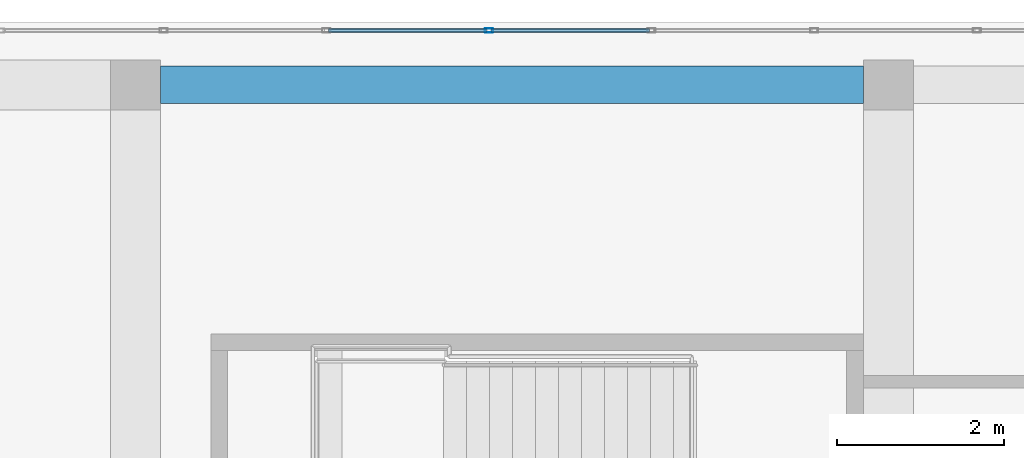
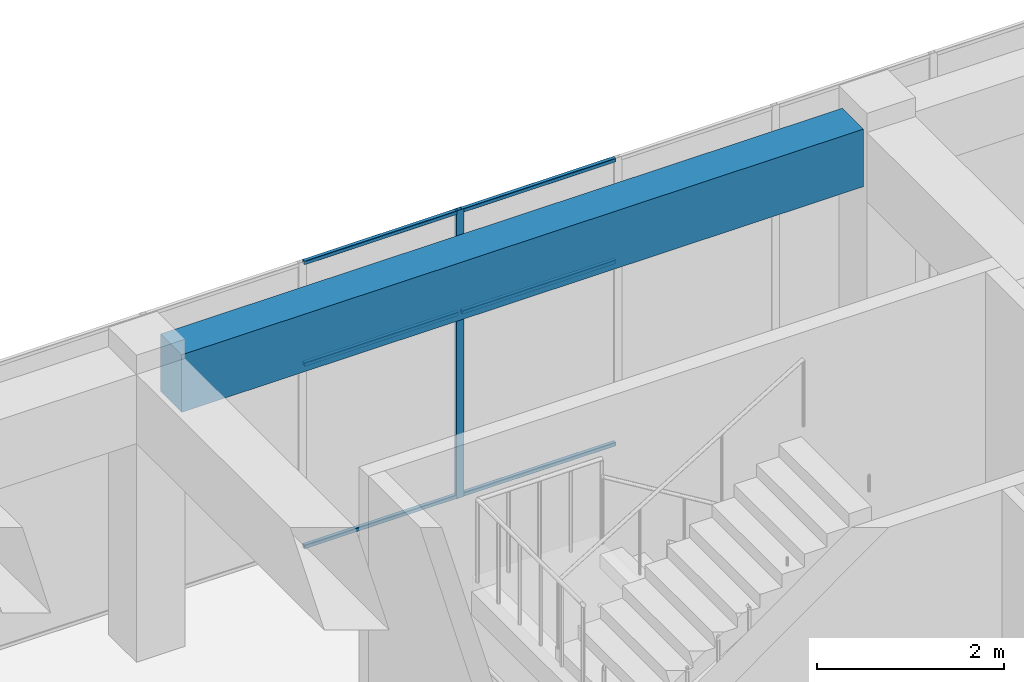
# One storey, part 20 of 32: 7 members, 1 beam, 1 element without a shape of its own.
"""IFC4 building model written with IfcOpenShell, lengths in metres."""

from ifc_helpers import new_model, si_unit, direction, frame, origin, origin_2d, place, context, subcontext, project, spatial, rectangle, hollow_rectangle, extrude, material, layer, layer_set, material_profile, profile_set, type_object, element, aggregate, save


model = new_model("IFC4")

# Units and contexts
model_context = context("Model", 3, precision=1e-05, world=origin(), true_north=direction((0.0, 1.0)))
body_context = subcontext(model_context, "Body", "Model", "MODEL_VIEW")
ifc_project = project(units=[si_unit("LENGTHUNIT", "METRE"), si_unit("AREAUNIT", "SQUARE_METRE"), si_unit("VOLUMEUNIT", "CUBIC_METRE"), si_unit("PLANEANGLEUNIT", "RADIAN"), si_unit("MASSUNIT", "GRAM", prefix="KILO")], contexts=[model_context])

# Site, building, storey
site_placement = place(None, origin())
site = spatial("IfcSite", under=ifc_project, at=site_placement, CompositionType="ELEMENT")
building_placement = place(site_placement, origin())
building = spatial("IfcBuilding", under=site, at=building_placement, Name="Tuart Plaza Theatre", CompositionType="ELEMENT")
storey_placement = place(building_placement, frame((0.0, 0.0, 41.5)))
storey = spatial("IfcBuildingStorey", under=building, at=storey_placement, Name="L10", CompositionType="ELEMENT", Elevation=41.5)

# Beam
ifc_material_1 = material(Name="Concrete N40 (40 MPa)", Category="concrete")
ifc_material_profile_1 = material_profile(ifc_material_1, rectangle(XDim=0.449951171875, YDim=0.75, at=origin_2d()), Name="BEAM 450x750 Concrete N40 (40 MPa)")
ifc_profile_set_1 = profile_set([ifc_material_profile_1], Name="Concrete N40 (40 MPa)")
beam_type = type_object("IfcBeamType", Name="BEAM 450x750 Concrete N40 (40 MPa)", PredefinedType="BEAM", material=ifc_profile_set_1)
beam_placement = place(storey_placement, frame((114.300048828125, 92.0, 3.375), z_axis=(1.0, 0.0, 0.0), x_axis=(0.0, 1.0, 0.0)))
element("IfcBeam", 1, at=beam_placement, inside=storey, type_object=beam_type, Name="RB295", PredefinedType="BEAM", context=body_context, shape_type="SweptSolid", body=[
    extrude(rectangle(XDim=0.449951171875, YDim=0.75, at=origin_2d()), origin(), (0.0, 0.0, 1.0), 8.39990234375),
])

# Curtain wall, members
ifc_material_2 = material(Name="Aluminium and glass", Category="aluminium")
ifc_layer = layer(ifc_material_2, 0.10009765625)
ifc_layer_set = layer_set([ifc_layer], Name="CURTAIN WALL 2000 module")
curtain_wall_type = type_object("IfcCurtainWallType", Name="CURTAIN WALL 2000 module", PredefinedType="NOTDEFINED", material=ifc_layer_set)
curtain_wall_placement = place(storey_placement, origin())
curtain_wall = element("IfcCurtainWall", 2, at=curtain_wall_placement, inside=storey, type_object=curtain_wall_type, Name="CW105", PredefinedType="NOTDEFINED")
ifc_material_3 = material(Name="Aluminium 6063-T5", Category="aluminium")
ifc_material_profile_2 = material_profile(ifc_material_3, hollow_rectangle(XDim=0.050048828125, YDim=0.10009765625, WallThickness=0.00390625, InnerFilletRadius=0.00390625, OuterFilletRadius=0.008056640625, at=origin_2d()), Name="RHS 100x50x4")
ifc_profile_set_2 = profile_set([ifc_material_profile_2], Name="Aluminium 6063-T5")
member_type_1 = type_object("IfcMemberType", Name="MULLION RHS 100x50x4", PredefinedType="MULLION", material=ifc_profile_set_2)
member_1_placement = place(storey_placement, frame((118.22509765625, 92.64990234375, 0.0), z_axis=(0.0, 0.0, 1.0), x_axis=(0.0, -1.0, 0.0)))
member_1 = element("IfcMember", 3, at=member_1_placement, type_object=member_type_1, Name="CW105 mullion 13", PredefinedType="MULLION", context=body_context, shape_type="SweptSolid", body=[
    extrude(hollow_rectangle(XDim=0.050048828125, YDim=0.10009765625, WallThickness=0.00390625, InnerFilletRadius=0.00390625, OuterFilletRadius=0.008056640625, at=origin_2d()), origin(), (0.0, 0.0, 1.0), 3.75),
])
ifc_material_4 = material(Name="Aluminium 6063-T5", Category="aluminium")
ifc_material_profile_3 = material_profile(ifc_material_4, hollow_rectangle(XDim=0.050048828125, YDim=0.050048828125, WallThickness=0.00390625, InnerFilletRadius=0.00390625, OuterFilletRadius=0.008056640625, at=origin_2d()), Name="RHS 50x50x4")
ifc_profile_set_3 = profile_set([ifc_material_profile_3], Name="Aluminium 6063-T5")
member_type_2 = type_object("IfcMemberType", Name="TRANSOM RHS 50x50x4", PredefinedType="USERDEFINED", material=ifc_profile_set_3)
member_2_placement = place(storey_placement, frame((120.143798828125, 92.64990234375, 0.02490234375), z_axis=(-1.0, 0.0, 0.0), x_axis=(0.0, -1.0, 0.0)))
member_2 = element("IfcMember", 4, at=member_2_placement, type_object=member_type_2, Name="CW105 transom 12.1", ObjectType="TRANSOM", PredefinedType="USERDEFINED", context=body_context, shape_type="SweptSolid", body=[
    extrude(hollow_rectangle(XDim=0.050048828125, YDim=0.050048828125, WallThickness=0.00390625, InnerFilletRadius=0.00390625, OuterFilletRadius=0.008056640625, at=origin_2d()), origin(), (0.0, 0.0, 1.0), 1.893798828125),
])
member_3_placement = place(storey_placement, frame((120.143798828125, 92.64990234375, 2.39990234375), z_axis=(-1.0, 0.0, 0.0), x_axis=(0.0, -1.0, 0.0)))
member_3 = element("IfcMember", 5, at=member_3_placement, type_object=member_type_2, Name="CW105 transom 12.2", ObjectType="TRANSOM", PredefinedType="USERDEFINED", context=body_context, shape_type="SweptSolid", body=[
    extrude(hollow_rectangle(XDim=0.050048828125, YDim=0.050048828125, WallThickness=0.00390625, InnerFilletRadius=0.00390625, OuterFilletRadius=0.008056640625, at=origin_2d()), origin(), (0.0, 0.0, 1.0), 1.893798828125),
])
member_4_placement = place(storey_placement, frame((120.143798828125, 92.64990234375, 3.72509765625), z_axis=(-1.0, 0.0, 0.0), x_axis=(0.0, -1.0, 0.0)))
member_4 = element("IfcMember", 6, at=member_4_placement, type_object=member_type_2, Name="CW105 transom 12.3", ObjectType="TRANSOM", PredefinedType="USERDEFINED", context=body_context, shape_type="SweptSolid", body=[
    extrude(hollow_rectangle(XDim=0.050048828125, YDim=0.050048828125, WallThickness=0.00390625, InnerFilletRadius=0.00390625, OuterFilletRadius=0.008056640625, at=origin_2d()), origin(), (0.0, 0.0, 1.0), 1.893798828125),
])
member_5_placement = place(storey_placement, frame((118.199951171875, 92.64990234375, 0.02490234375), z_axis=(-1.0, 0.0, 0.0), x_axis=(0.0, -1.0, 0.0)))
member_5 = element("IfcMember", 7, at=member_5_placement, type_object=member_type_2, Name="CW105 transom 13.1", ObjectType="TRANSOM", PredefinedType="USERDEFINED", context=body_context, shape_type="SweptSolid", body=[
    extrude(hollow_rectangle(XDim=0.050048828125, YDim=0.050048828125, WallThickness=0.00390625, InnerFilletRadius=0.00390625, OuterFilletRadius=0.008056640625, at=origin_2d()), origin(), (0.0, 0.0, 1.0), 1.893798828125),
])
member_6_placement = place(storey_placement, frame((118.199951171875, 92.64990234375, 2.39990234375), z_axis=(-1.0, 0.0, 0.0), x_axis=(0.0, -1.0, 0.0)))
member_6 = element("IfcMember", 8, at=member_6_placement, type_object=member_type_2, Name="CW105 transom 13.2", ObjectType="TRANSOM", PredefinedType="USERDEFINED", context=body_context, shape_type="SweptSolid", body=[
    extrude(hollow_rectangle(XDim=0.050048828125, YDim=0.050048828125, WallThickness=0.00390625, InnerFilletRadius=0.00390625, OuterFilletRadius=0.008056640625, at=origin_2d()), origin(), (0.0, 0.0, 1.0), 1.893798828125),
])
member_7_placement = place(storey_placement, frame((118.199951171875, 92.64990234375, 3.72509765625), z_axis=(-1.0, 0.0, 0.0), x_axis=(0.0, -1.0, 0.0)))
member_7 = element("IfcMember", 9, at=member_7_placement, type_object=member_type_2, Name="CW105 transom 13.3", ObjectType="TRANSOM", PredefinedType="USERDEFINED", context=body_context, shape_type="SweptSolid", body=[
    extrude(hollow_rectangle(XDim=0.050048828125, YDim=0.050048828125, WallThickness=0.00390625, InnerFilletRadius=0.00390625, OuterFilletRadius=0.008056640625, at=origin_2d()), origin(), (0.0, 0.0, 1.0), 1.893798828125),
])
aggregate(curtain_wall, [member_1, member_2, member_3, member_4, member_5, member_6, member_7])

save(model, "model.ifc")
